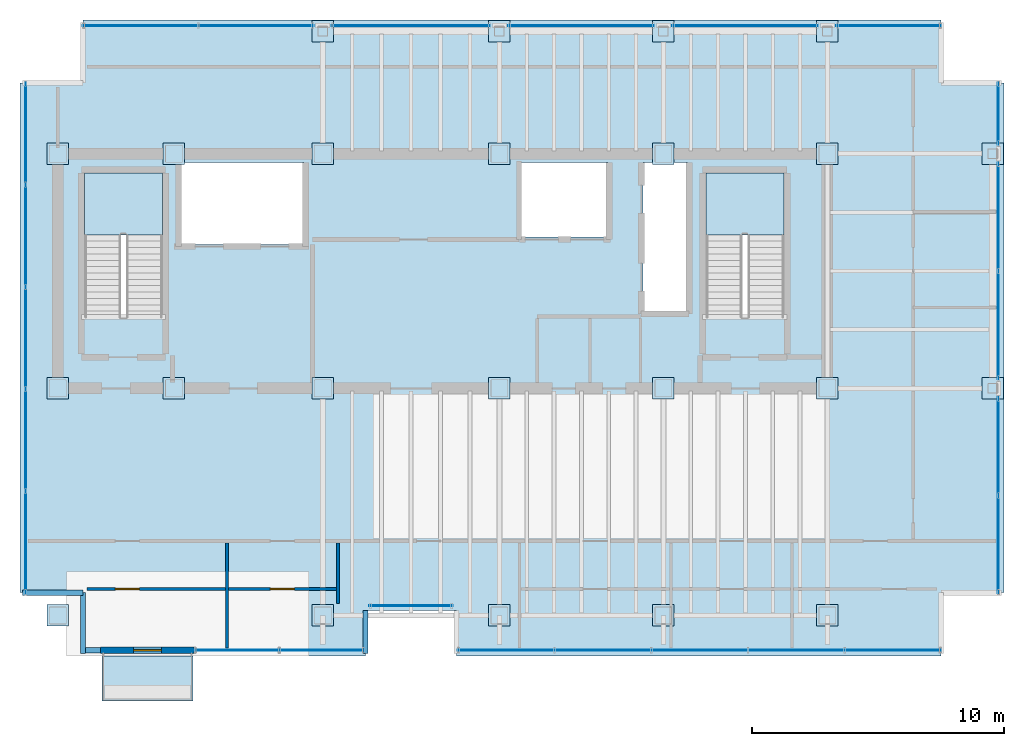
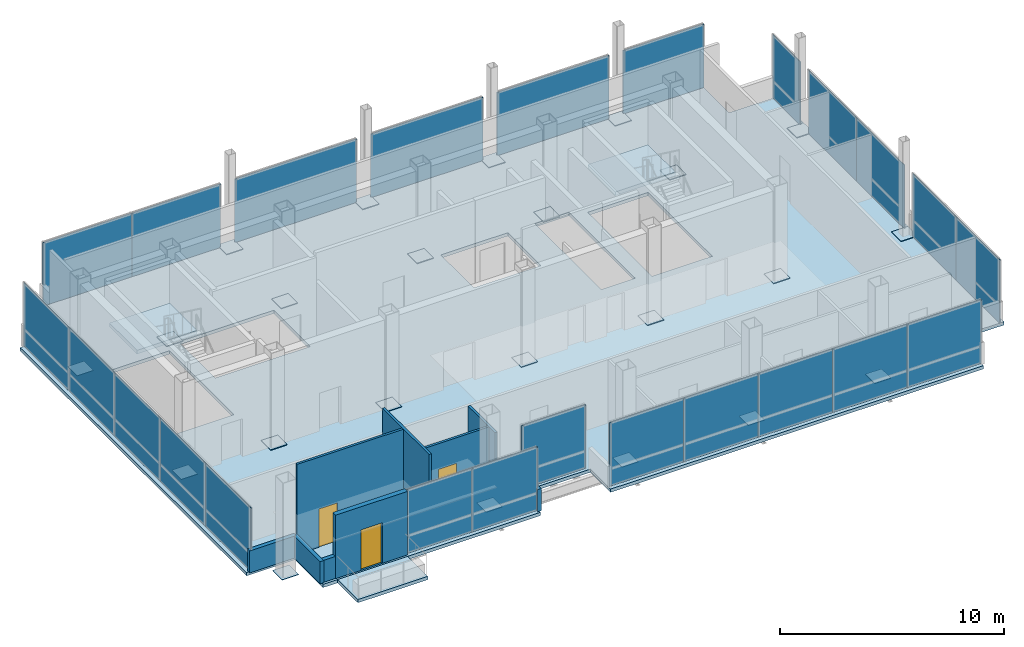
# One storey, part 14 of 17: 47 plates, 9 walls, 4 slabs, 3 doors, 8 openings, 14 elements without a shape of their own.
"""IFC4 building model written with IfcOpenShell, lengths in metres."""

from ifc_helpers import new_model, si_unit, direction, frame, frame_2d, origin, origin_2d, place, context, subcontext, project, spatial, polyline, rectangle, outline, extrude, material, layer, layer_set, type_object, element, fill, aggregate, save


model = new_model("IFC4")

# Units and contexts
model_context = context("Model", 3, precision=1e-05, world=origin(), true_north=direction((0.0, 1.0)))
body_context = subcontext(model_context, "Body", "Model", "MODEL_VIEW")
ifc_project = project(units=[si_unit("LENGTHUNIT", "METRE"), si_unit("AREAUNIT", "SQUARE_METRE"), si_unit("VOLUMEUNIT", "CUBIC_METRE"), si_unit("PLANEANGLEUNIT", "RADIAN"), si_unit("MASSUNIT", "GRAM", prefix="KILO")], contexts=[model_context])

# Site, building, storey
site_placement = place(None, origin())
site = spatial("IfcSite", under=ifc_project, at=site_placement, CompositionType="ELEMENT")
building_placement = place(site_placement, origin())
building = spatial("IfcBuilding", under=site, at=building_placement, Name="Noeulbin Bourse Tower", CompositionType="ELEMENT")
storey_placement = place(building_placement, frame((0.0, 0.0, 300.800048828125)))
storey = spatial("IfcBuildingStorey", under=building, at=storey_placement, Name="L75", CompositionType="ELEMENT", Elevation=300.800048828125)

# Curtain wall, plate
ifc_material_1 = material(Name="High-Selectivity Low-Iron Glazing", Category="glass")
curtain_wall_type = type_object("IfcCurtainWallType", Name="CW-SYS-4", PredefinedType="NOTDEFINED", material=ifc_material_1)
curtain_wall_1_placement = place(storey_placement, origin())
curtain_wall_1 = element("IfcCurtainWall", 1, at=curtain_wall_1_placement, inside=storey, type_object=curtain_wall_type, Name="Unitised Curtain Wall CW-L75-SREC", PredefinedType="NOTDEFINED")
ifc_layer_1 = layer(ifc_material_1, 0.035888671875)
ifc_layer_set_1 = layer_set([ifc_layer_1], Name="High-Selectivity Low-Iron Glazing")
plate_type_1 = type_object("IfcPlateType", Name="CW-SYS-4-PNL", PredefinedType="CURTAIN_PANEL", material=ifc_layer_set_1)
plate_1_placement = place(storey_placement, frame((27.5, 20.3798828125, 0.0), z_axis=(0.0, 0.0, 1.0), x_axis=(1.0, 0.0, 0.0)))
plate_1 = element("IfcPlate", 2, at=plate_1_placement, type_object=plate_type_1, Name="Glazed Curtain Panel CW-L75-SREC-P00", PredefinedType="CURTAIN_PANEL", context=body_context, shape_type="SweptSolid", body=[
    extrude(rectangle(XDim=3.300048828125, YDim=0.035888671875, at=origin_2d()), origin(), (0.0, 0.0, 1.0), 3.4599609375),
])
aggregate(curtain_wall_1, [plate_1])

# Curtain wall, plates
curtain_wall_2_placement = place(storey_placement, origin())
curtain_wall_2 = element("IfcCurtainWall", 3, at=curtain_wall_2_placement, inside=storey, type_object=curtain_wall_type, Name="Unitised Curtain Wall CW-L75-S1", PredefinedType="NOTDEFINED")
plate_2_placement = place(storey_placement, frame((20.58740234375, 18.6201171875, 0.0), z_axis=(0.0, 0.0, 1.0), x_axis=(1.0, 0.0, 0.0)))
plate_2 = element("IfcPlate", 4, at=plate_2_placement, type_object=plate_type_1, Name="Glazed Curtain Panel CW-L75-S1-P00", PredefinedType="CURTAIN_PANEL", context=body_context, shape_type="SweptSolid", body=[
    extrude(rectangle(XDim=3.375, YDim=0.035888671875, at=origin_2d()), origin(), (0.0, 0.0, 1.0), 3.4599609375),
])
plate_3_placement = place(storey_placement, frame((23.96240234375, 18.6201171875, 0.0), z_axis=(0.0, 0.0, 1.0), x_axis=(1.0, 0.0, 0.0)))
plate_3 = element("IfcPlate", 5, at=plate_3_placement, type_object=plate_type_1, Name="Glazed Curtain Panel CW-L75-S1-P01", PredefinedType="CURTAIN_PANEL", context=body_context, shape_type="SweptSolid", body=[
    extrude(rectangle(XDim=3.375, YDim=0.035888671875, at=origin_2d()), origin(), (0.0, 0.0, 1.0), 3.4599609375),
])
aggregate(curtain_wall_2, [plate_2, plate_3])

curtain_wall_3_placement = place(storey_placement, origin())
curtain_wall_3 = element("IfcCurtainWall", 6, at=curtain_wall_3_placement, inside=storey, type_object=curtain_wall_type, Name="Unitised Curtain Wall CW-L75-S2", PredefinedType="NOTDEFINED")
plate_4_placement = place(storey_placement, frame((31.26708984375, 18.6201171875, 0.0), z_axis=(0.0, 0.0, 1.0), x_axis=(1.0, 0.0, 0.0)))
plate_4 = element("IfcPlate", 7, at=plate_4_placement, type_object=plate_type_1, Name="Glazed Curtain Panel CW-L75-S2-P00", PredefinedType="CURTAIN_PANEL", context=body_context, shape_type="SweptSolid", body=[
    extrude(rectangle(XDim=3.833984375, YDim=0.035888671875, at=origin_2d()), origin(), (0.0, 0.0, 1.0), 3.4599609375),
])
plate_5_placement = place(storey_placement, frame((35.10107421875, 18.6201171875, 0.0), z_axis=(0.0, 0.0, 1.0), x_axis=(1.0, 0.0, 0.0)))
plate_5 = element("IfcPlate", 8, at=plate_5_placement, type_object=plate_type_1, Name="Glazed Curtain Panel CW-L75-S2-P01", PredefinedType="CURTAIN_PANEL", context=body_context, shape_type="SweptSolid", body=[
    extrude(rectangle(XDim=3.833984375, YDim=0.035888671875, at=origin_2d()), origin(), (0.0, 0.0, 1.0), 3.4599609375),
])
plate_6_placement = place(storey_placement, frame((38.93505859375, 18.6201171875, 0.0), z_axis=(0.0, 0.0, 1.0), x_axis=(1.0, 0.0, 0.0)))
plate_6 = element("IfcPlate", 9, at=plate_6_placement, type_object=plate_type_1, Name="Glazed Curtain Panel CW-L75-S2-P02", PredefinedType="CURTAIN_PANEL", context=body_context, shape_type="SweptSolid", body=[
    extrude(rectangle(XDim=3.833984375, YDim=0.035888671875, at=origin_2d()), origin(), (0.0, 0.0, 1.0), 3.4599609375),
])
plate_7_placement = place(storey_placement, frame((42.76904296875, 18.6201171875, 0.0), z_axis=(0.0, 0.0, 1.0), x_axis=(1.0, 0.0, 0.0)))
plate_7 = element("IfcPlate", 10, at=plate_7_placement, type_object=plate_type_1, Name="Glazed Curtain Panel CW-L75-S2-P03", PredefinedType="CURTAIN_PANEL", context=body_context, shape_type="SweptSolid", body=[
    extrude(rectangle(XDim=3.833984375, YDim=0.035888671875, at=origin_2d()), origin(), (0.0, 0.0, 1.0), 3.4599609375),
])
plate_8_placement = place(storey_placement, frame((46.60302734375, 18.6201171875, 0.0), z_axis=(0.0, 0.0, 1.0), x_axis=(1.0, 0.0, 0.0)))
plate_8 = element("IfcPlate", 11, at=plate_8_placement, type_object=plate_type_1, Name="Glazed Curtain Panel CW-L75-S2-P04", PredefinedType="CURTAIN_PANEL", context=body_context, shape_type="SweptSolid", body=[
    extrude(rectangle(XDim=3.833984375, YDim=0.035888671875, at=origin_2d()), origin(), (0.0, 0.0, 1.0), 3.4599609375),
])
aggregate(curtain_wall_3, [plate_4, plate_5, plate_6, plate_7, plate_8])

curtain_wall_4_placement = place(storey_placement, origin())
curtain_wall_4 = element("IfcCurtainWall", 12, at=curtain_wall_4_placement, inside=storey, type_object=curtain_wall_type, Name="Unitised Curtain Wall CW-L75-N-S1", PredefinedType="NOTDEFINED")
plate_9_placement = place(storey_placement, frame((16.77001953125, 43.3798828125, 0.0), z_axis=(0.0, 0.0, 1.0), x_axis=(1.0, 0.0, 0.0)))
plate_9 = element("IfcPlate", 13, at=plate_9_placement, type_object=plate_type_1, Name="Glazed Curtain Panel CW-L75-N-S1-P00", PredefinedType="CURTAIN_PANEL", context=body_context, shape_type="SweptSolid", body=[
    extrude(rectangle(XDim=4.580078125, YDim=0.035888671875, at=origin_2d()), origin(), (0.0, 0.0, 1.0), 3.4599609375),
])
plate_10_placement = place(storey_placement, frame((21.35009765625, 43.3798828125, 0.0), z_axis=(0.0, 0.0, 1.0), x_axis=(1.0, 0.0, 0.0)))
plate_10 = element("IfcPlate", 14, at=plate_10_placement, type_object=plate_type_1, Name="Glazed Curtain Panel CW-L75-N-S1-P01", PredefinedType="CURTAIN_PANEL", context=body_context, shape_type="SweptSolid", body=[
    extrude(rectangle(XDim=4.580078125, YDim=0.035888671875, at=origin_2d()), origin(), (0.0, 0.0, 1.0), 3.4599609375),
])
aggregate(curtain_wall_4, [plate_9, plate_10])

# Curtain wall, plate
curtain_wall_5_placement = place(storey_placement, origin())
curtain_wall_5 = element("IfcCurtainWall", 15, at=curtain_wall_5_placement, inside=storey, type_object=curtain_wall_type, Name="Unitised Curtain Wall CW-L75-N-S2", PredefinedType="NOTDEFINED")
plate_11_placement = place(storey_placement, frame((27.5, 43.3798828125, 0.0), z_axis=(0.0, 0.0, 1.0), x_axis=(1.0, 0.0, 0.0)))
plate_11 = element("IfcPlate", 16, at=plate_11_placement, type_object=plate_type_1, Name="Glazed Curtain Panel CW-L75-N-S2-P00", PredefinedType="CURTAIN_PANEL", context=body_context, shape_type="SweptSolid", body=[
    extrude(rectangle(XDim=6.280029296875, YDim=0.035888671875, at=origin_2d()), origin(), (0.0, 0.0, 1.0), 3.4599609375),
])
aggregate(curtain_wall_5, [plate_11])

curtain_wall_6_placement = place(storey_placement, origin())
curtain_wall_6 = element("IfcCurtainWall", 17, at=curtain_wall_6_placement, inside=storey, type_object=curtain_wall_type, Name="Unitised Curtain Wall CW-L75-N-S3", PredefinedType="NOTDEFINED")
plate_12_placement = place(storey_placement, frame((34.25, 43.3798828125, 0.0), z_axis=(0.0, 0.0, 1.0), x_axis=(1.0, 0.0, 0.0)))
plate_12 = element("IfcPlate", 18, at=plate_12_placement, type_object=plate_type_1, Name="Glazed Curtain Panel CW-L75-N-S3-P00", PredefinedType="CURTAIN_PANEL", context=body_context, shape_type="SweptSolid", body=[
    extrude(rectangle(XDim=5.780029296875, YDim=0.035888671875, at=origin_2d()), origin(), (0.0, 0.0, 1.0), 3.4599609375),
])
aggregate(curtain_wall_6, [plate_12])

curtain_wall_7_placement = place(storey_placement, origin())
curtain_wall_7 = element("IfcCurtainWall", 19, at=curtain_wall_7_placement, inside=storey, type_object=curtain_wall_type, Name="Unitised Curtain Wall CW-L75-N-S4", PredefinedType="NOTDEFINED")
plate_13_placement = place(storey_placement, frame((40.75, 43.3798828125, 0.0), z_axis=(0.0, 0.0, 1.0), x_axis=(1.0, 0.0, 0.0)))
plate_13 = element("IfcPlate", 20, at=plate_13_placement, type_object=plate_type_1, Name="Glazed Curtain Panel CW-L75-N-S4-P00", PredefinedType="CURTAIN_PANEL", context=body_context, shape_type="SweptSolid", body=[
    extrude(rectangle(XDim=5.780029296875, YDim=0.035888671875, at=origin_2d()), origin(), (0.0, 0.0, 1.0), 3.4599609375),
])
aggregate(curtain_wall_7, [plate_13])

curtain_wall_8_placement = place(storey_placement, origin())
curtain_wall_8 = element("IfcCurtainWall", 21, at=curtain_wall_8_placement, inside=storey, type_object=curtain_wall_type, Name="Unitised Curtain Wall CW-L75-N-S5", PredefinedType="NOTDEFINED")
plate_14_placement = place(storey_placement, frame((46.43994140625, 43.3798828125, 0.0), z_axis=(0.0, 0.0, 1.0), x_axis=(1.0, 0.0, 0.0)))
plate_14 = element("IfcPlate", 22, at=plate_14_placement, type_object=plate_type_1, Name="Glazed Curtain Panel CW-L75-N-S5-P00", PredefinedType="CURTAIN_PANEL", context=body_context, shape_type="SweptSolid", body=[
    extrude(rectangle(XDim=4.159912109375, YDim=0.035888671875, at=origin_2d()), origin(), (0.0, 0.0, 1.0), 3.4599609375),
])
aggregate(curtain_wall_8, [plate_14])

# Curtain wall, plates
curtain_wall_9_placement = place(storey_placement, origin())
curtain_wall_9 = element("IfcCurtainWall", 23, at=curtain_wall_9_placement, inside=storey, type_object=curtain_wall_type, Name="Unitised Curtain Wall CW-L75-W", PredefinedType="NOTDEFINED")
plate_15_placement = place(storey_placement, frame((12.219970703125, 22.904052734375, 0.0), z_axis=(0.0, 0.0, 1.0), x_axis=(0.0, 1.0, 0.0)))
plate_15 = element("IfcPlate", 24, at=plate_15_placement, type_object=plate_type_1, Name="Glazed Curtain Panel CW-L75-W-P00", PredefinedType="CURTAIN_PANEL", context=body_context, shape_type="SweptSolid", body=[
    extrude(rectangle(XDim=4.048095703125, YDim=0.035888671875, at=origin_2d()), origin(), (0.0, 0.0, 1.0), 3.4599609375),
])
plate_16_placement = place(storey_placement, frame((12.219970703125, 26.951904296875, 0.0), z_axis=(0.0, 0.0, 1.0), x_axis=(0.0, 1.0, 0.0)))
plate_16 = element("IfcPlate", 25, at=plate_16_placement, type_object=plate_type_1, Name="Glazed Curtain Panel CW-L75-W-P01", PredefinedType="CURTAIN_PANEL", context=body_context, shape_type="SweptSolid", body=[
    extrude(rectangle(XDim=4.048095703125, YDim=0.035888671875, at=origin_2d()), origin(), (0.0, 0.0, 1.0), 3.4599609375),
])
plate_17_placement = place(storey_placement, frame((12.219970703125, 31.0, 0.0), z_axis=(0.0, 0.0, 1.0), x_axis=(0.0, 1.0, 0.0)))
plate_17 = element("IfcPlate", 26, at=plate_17_placement, type_object=plate_type_1, Name="Glazed Curtain Panel CW-L75-W-P02", PredefinedType="CURTAIN_PANEL", context=body_context, shape_type="SweptSolid", body=[
    extrude(rectangle(XDim=4.048095703125, YDim=0.035888671875, at=origin_2d()), origin(), (0.0, 0.0, 1.0), 3.4599609375),
])
plate_18_placement = place(storey_placement, frame((12.219970703125, 35.048095703125, 0.0), z_axis=(0.0, 0.0, 1.0), x_axis=(0.0, 1.0, 0.0)))
plate_18 = element("IfcPlate", 27, at=plate_18_placement, type_object=plate_type_1, Name="Glazed Curtain Panel CW-L75-W-P03", PredefinedType="CURTAIN_PANEL", context=body_context, shape_type="SweptSolid", body=[
    extrude(rectangle(XDim=4.048095703125, YDim=0.035888671875, at=origin_2d()), origin(), (0.0, 0.0, 1.0), 3.4599609375),
])
plate_19_placement = place(storey_placement, frame((12.219970703125, 39.095947265625, 0.0), z_axis=(0.0, 0.0, 1.0), x_axis=(0.0, 1.0, 0.0)))
plate_19 = element("IfcPlate", 28, at=plate_19_placement, type_object=plate_type_1, Name="Glazed Curtain Panel CW-L75-W-P04", PredefinedType="CURTAIN_PANEL", context=body_context, shape_type="SweptSolid", body=[
    extrude(rectangle(XDim=4.048095703125, YDim=0.035888671875, at=origin_2d()), origin(), (0.0, 0.0, 1.0), 3.4599609375),
])
aggregate(curtain_wall_9, [plate_15, plate_16, plate_17, plate_18, plate_19])

curtain_wall_10_placement = place(storey_placement, origin())
curtain_wall_10 = element("IfcCurtainWall", 29, at=curtain_wall_10_placement, inside=storey, type_object=curtain_wall_type, Name="Unitised Curtain Wall CW-L75-E-S1", PredefinedType="NOTDEFINED")
plate_20_placement = place(storey_placement, frame((50.780029296875, 22.820068359375, 0.0), z_axis=(0.0, 0.0, 1.0), x_axis=(0.0, 1.0, 0.0)))
plate_20 = element("IfcPlate", 30, at=plate_20_placement, type_object=plate_type_1, Name="Glazed Curtain Panel CW-L75-E-S1-P00", PredefinedType="CURTAIN_PANEL", context=body_context, shape_type="SweptSolid", body=[
    extrude(rectangle(XDim=3.8798828125, YDim=0.035888671875, at=origin_2d()), origin(), (0.0, 0.0, 1.0), 3.4599609375),
])
plate_21_placement = place(storey_placement, frame((50.780029296875, 26.699951171875, 0.0), z_axis=(0.0, 0.0, 1.0), x_axis=(0.0, 1.0, 0.0)))
plate_21 = element("IfcPlate", 31, at=plate_21_placement, type_object=plate_type_1, Name="Glazed Curtain Panel CW-L75-E-S1-P01", PredefinedType="CURTAIN_PANEL", context=body_context, shape_type="SweptSolid", body=[
    extrude(rectangle(XDim=3.8798828125, YDim=0.035888671875, at=origin_2d()), origin(), (0.0, 0.0, 1.0), 3.4599609375),
])
aggregate(curtain_wall_10, [plate_20, plate_21])

curtain_wall_11_placement = place(storey_placement, origin())
curtain_wall_11 = element("IfcCurtainWall", 32, at=curtain_wall_11_placement, inside=storey, type_object=curtain_wall_type, Name="Unitised Curtain Wall CW-L75-E-S2", PredefinedType="NOTDEFINED")
plate_22_placement = place(storey_placement, frame((50.780029296875, 31.5048828125, 0.0), z_axis=(0.0, 0.0, 1.0), x_axis=(0.0, 1.0, 0.0)))
plate_22 = element("IfcPlate", 33, at=plate_22_placement, type_object=plate_type_1, Name="Glazed Curtain Panel CW-L75-E-S2-P00", PredefinedType="CURTAIN_PANEL", context=body_context, shape_type="SweptSolid", body=[
    extrude(rectangle(XDim=4.2900390625, YDim=0.035888671875, at=origin_2d()), origin(), (0.0, 0.0, 1.0), 3.4599609375),
])
plate_23_placement = place(storey_placement, frame((50.780029296875, 35.794921875, 0.0), z_axis=(0.0, 0.0, 1.0), x_axis=(0.0, 1.0, 0.0)))
plate_23 = element("IfcPlate", 34, at=plate_23_placement, type_object=plate_type_1, Name="Glazed Curtain Panel CW-L75-E-S2-P01", PredefinedType="CURTAIN_PANEL", context=body_context, shape_type="SweptSolid", body=[
    extrude(rectangle(XDim=4.2900390625, YDim=0.035888671875, at=origin_2d()), origin(), (0.0, 0.0, 1.0), 3.4599609375),
])
aggregate(curtain_wall_11, [plate_22, plate_23])

# Curtain wall, plate
curtain_wall_12_placement = place(storey_placement, origin())
curtain_wall_12 = element("IfcCurtainWall", 35, at=curtain_wall_12_placement, inside=storey, type_object=curtain_wall_type, Name="Unitised Curtain Wall CW-L75-E-S3", PredefinedType="NOTDEFINED")
plate_24_placement = place(storey_placement, frame((50.780029296875, 39.889892578125, 0.0), z_axis=(0.0, 0.0, 1.0), x_axis=(0.0, 1.0, 0.0)))
plate_24 = element("IfcPlate", 36, at=plate_24_placement, type_object=plate_type_1, Name="Glazed Curtain Panel CW-L75-E-S3-P00", PredefinedType="CURTAIN_PANEL", context=body_context, shape_type="SweptSolid", body=[
    extrude(rectangle(XDim=2.4599609375, YDim=0.035888671875, at=origin_2d()), origin(), (0.0, 0.0, 1.0), 3.4599609375),
])
aggregate(curtain_wall_12, [plate_24])

# Plates
ifc_material_2 = material(Name="Steel S355", Category="steel")
ifc_layer_2 = layer(ifc_material_2, 0.030029296875)
ifc_layer_set_2 = layer_set([ifc_layer_2], Name="Steel S355")
plate_type_2 = type_object("IfcPlateType", Name="PLT-BN1", PredefinedType="USERDEFINED", material=ifc_layer_set_2)
for number, where, z_axis, x_axis, name in (
    (37, (13.5, 29.0, 0.0048828125), (0.0, 0.0, 1.0), (1.0, 0.0, 0.0), "Mega-Column Splice Plate BN1-L75-01"),
    (38, (13.5, 38.300048828125, 0.0048828125), (0.0, 0.0, 1.0), (1.0, 0.0, 0.0), "Mega-Column Splice Plate BN1-L75-02"),
    (39, (18.10009765625, 29.0, 0.0048828125), (0.0, 0.0, 1.0), (1.0, 0.0, 0.0), "Mega-Column Splice Plate BN1-L75-03"),
    (40, (18.10009765625, 38.300048828125, 0.0048828125), (0.0, 0.0, 1.0), (1.0, 0.0, 0.0), "Mega-Column Splice Plate BN1-L75-04"),
    (41, (24.0, 29.0, 0.0048828125), (0.0, 0.0, 1.0), (1.0, 0.0, 0.0), "Mega-Column Splice Plate BN1-L75-05"),
    (42, (24.0, 38.300048828125, 0.0048828125), (0.0, 0.0, 1.0), (1.0, 0.0, 0.0), "Mega-Column Splice Plate BN1-L75-06"),
    (43, (31.0, 29.0, 0.0048828125), (0.0, 0.0, 1.0), (1.0, 0.0, 0.0), "Mega-Column Splice Plate BN1-L75-07"),
    (44, (31.0, 38.300048828125, 0.0048828125), (0.0, 0.0, 1.0), (1.0, 0.0, 0.0), "Mega-Column Splice Plate BN1-L75-08"),
    (45, (37.5, 29.0, 0.0048828125), (0.0, 0.0, 1.0), (1.0, 0.0, 0.0), "Mega-Column Splice Plate BN1-L75-09"),
    (46, (37.5, 38.300048828125, 0.0048828125), (0.0, 0.0, 1.0), (1.0, 0.0, 0.0), "Mega-Column Splice Plate BN1-L75-10"),
    (47, (44.0, 29.0, 0.0048828125), (0.0, 0.0, 1.0), (1.0, 0.0, 0.0), "Mega-Column Splice Plate BN1-L75-11"),
    (48, (44.0, 38.300048828125, 0.0048828125), (0.0, 0.0, 1.0), (1.0, 0.0, 0.0), "Mega-Column Splice Plate BN1-L75-12"),
    (49, (13.5, 20.0, 0.0048828125), (0.0, 0.0, 1.0), (1.0, 0.0, 0.0), "Mega-Column Splice Plate BN1-L75-13"),
    (50, (24.0, 20.0, 0.0048828125), (0.0, 0.0, 1.0), (1.0, 0.0, 0.0), "Mega-Column Splice Plate BN1-L75-14"),
    (51, (31.0, 20.0, 0.0048828125), (0.0, 0.0, 1.0), (1.0, 0.0, 0.0), "Mega-Column Splice Plate BN1-L75-15"),
    (52, (37.5, 20.0, 0.0048828125), (0.0, 0.0, 1.0), (1.0, 0.0, 0.0), "Mega-Column Splice Plate BN1-L75-16"),
    (53, (44.0, 20.0, 0.0048828125), (0.0, 0.0, 1.0), (1.0, 0.0, 0.0), "Mega-Column Splice Plate BN1-L75-17"),
    (54, (24.0, 43.14990234375, 0.0048828125), (0.0, 0.0, 1.0), (1.0, 0.0, 0.0), "Perimeter Column Splice Plate BN1-L75-01"),
    (55, (31.0, 43.14990234375, 0.0048828125), (0.0, 0.0, 1.0), (1.0, 0.0, 0.0), "Perimeter Column Splice Plate BN1-L75-02"),
    (56, (37.5, 43.14990234375, 0.0048828125), (0.0, 0.0, 1.0), (1.0, 0.0, 0.0), "Perimeter Column Splice Plate BN1-L75-03"),
    (57, (44.0, 43.14990234375, 0.0048828125), (0.0, 0.0, 1.0), (1.0, 0.0, 0.0), "Perimeter Column Splice Plate BN1-L75-04"),
    (58, (50.550048828125, 29.0, 0.0048828125), (0.0, 0.0, 1.0), (1.0, 0.0, 0.0), "Perimeter Column Splice Plate BN1-L75-05"),
    (59, (50.550048828125, 38.300048828125, 0.0048828125), (0.0, 0.0, 1.0), (1.0, 0.0, 0.0), "Perimeter Column Splice Plate BN1-L75-06"),
):
    element("IfcPlate", number, at=place(storey_placement, frame(where, z_axis=z_axis, x_axis=x_axis)), inside=storey, type_object=plate_type_2, Name=name, ObjectType="SPLICE PLATE", PredefinedType="USERDEFINED", context=body_context, shape_type="SweptSolid", body=[
        extrude(rectangle(XDim=0.85009765625, YDim=0.85009765625, at=origin_2d()), origin(), (0.0, 0.0, 1.0), 0.030029296875),
    ])

# Stair, slab
ifc_material_3 = material(Name="Concrete C40/50", Category="concrete")
stair_type = type_object("IfcStairType", Name="STR-CORE-1560", PredefinedType="HALF_TURN_STAIR", material=ifc_material_3)
stair_1_placement = place(storey_placement, origin())
stair_1 = element("IfcStair", 60, at=stair_1_placement, inside=storey, type_object=stair_type, Name="L75 ST-1", PredefinedType="HALF_TURN_STAIR")
ifc_layer_3 = layer(ifc_material_3, 0.199951171875)
ifc_layer_set_3 = layer_set([ifc_layer_3], Name="Concrete C40/50")
slab_type_1 = type_object("IfcSlabType", Name="SLB-LND-200", PredefinedType="LANDING", material=ifc_layer_set_3)
slab_1_placement = place(storey_placement, frame((0.0, 0.0, 2.39990234375)))
slab_1 = element("IfcSlab", 61, at=slab_1_placement, type_object=slab_type_1, Name="ST-1 landing 1", PredefinedType="LANDING", context=body_context, shape_type="SweptSolid", body=[
    extrude(outline(polyline([(17.64990234375, 35.0859375), (17.64990234375, 37.5439453125), (14.550048828125, 37.5439453125), (14.550048828125, 35.0859375), (17.64990234375, 35.0859375)])), origin(), (0.0, 0.0, 1.0), 0.199951171875),
])
aggregate(stair_1, [slab_1])

stair_2_placement = place(storey_placement, origin())
stair_2 = element("IfcStair", 62, at=stair_2_placement, inside=storey, type_object=stair_type, Name="L75 ST-2", PredefinedType="HALF_TURN_STAIR")
slab_2_placement = place(storey_placement, frame((0.0, 0.0, 2.39990234375)))
slab_2 = element("IfcSlab", 63, at=slab_2_placement, type_object=slab_type_1, Name="ST-2 landing 1", PredefinedType="LANDING", context=body_context, shape_type="SweptSolid", body=[
    extrude(outline(polyline([(42.280029296875, 35.0859375), (42.280029296875, 37.5439453125), (39.179931640625, 37.5439453125), (39.179931640625, 35.0859375), (42.280029296875, 35.0859375)])), origin(), (0.0, 0.0, 1.0), 0.199951171875),
])
aggregate(stair_2, [slab_2])

# Slab, openings
ifc_layer_4 = layer(ifc_material_3, 0.179931640625)
ifc_layer_set_4 = layer_set([ifc_layer_4], Name="Concrete C40/50")
slab_type_2 = type_object("IfcSlabType", Name="SLB-TYP-180", PredefinedType="FLOOR", material=ifc_layer_set_4)
slab_3_placement = place(storey_placement, frame((0.0, 0.0, -0.179931640625)))
slab_3 = element("IfcSlab", 64, at=slab_3_placement, inside=storey, type_object=slab_type_2, Name="Tower Structural Floor Slab L75", PredefinedType="FLOOR", context=body_context, shape_type="SweptSolid", body=[
    extrude(outline(polyline([(14.5, 18.39990234375), (25.699951171875, 18.39990234375), (25.699951171875, 20.199951171875), (29.300048828125, 20.199951171875), (29.300048828125, 18.39990234375), (48.5, 18.39990234375), (48.5, 20.89990234375), (51.0, 20.89990234375), (51.0, 41.10009765625), (48.5, 41.10009765625), (48.5, 43.60009765625), (14.5, 43.60009765625), (14.5, 41.10009765625), (12.0, 41.10009765625), (12.0, 20.89990234375), (14.5, 20.89990234375), (14.5, 18.39990234375)]), holes=[polyline([(17.64990234375, 31.81005859375), (17.64990234375, 37.5439453125), (14.550048828125, 37.5439453125), (14.550048828125, 31.81005859375), (17.64990234375, 31.81005859375)]), polyline([(42.280029296875, 31.81005859375), (42.280029296875, 37.5439453125), (39.179931640625, 37.5439453125), (39.179931640625, 31.81005859375), (42.280029296875, 31.81005859375)]), polyline([(18.35009765625, 34.699951171875), (23.25, 34.699951171875), (23.25, 37.949951171875), (18.35009765625, 37.949951171875), (18.35009765625, 34.699951171875)]), polyline([(36.699951171875, 32.050048828125), (38.449951171875, 32.050048828125), (38.449951171875, 37.949951171875), (36.699951171875, 37.949951171875), (36.699951171875, 32.050048828125)]), polyline([(31.85009765625, 35.0), (35.300048828125, 35.0), (35.300048828125, 37.949951171875), (31.85009765625, 37.949951171875), (31.85009765625, 35.0)])]), origin(), (0.0, 0.0, 1.0), 0.179931640625),
])
opening_1_placement = place(slab_3_placement, frame((0.0, 0.0, -0.010009765625)))
element("IfcOpeningElement", 65, at=opening_1_placement, cuts=slab_3, Name="Slab Shaft Opening SLB-L75-TWR-1", PredefinedType="OPENING", context=body_context, shape_type="SweptSolid", body=[
    extrude(outline(polyline([(17.64990234375, 31.81005859375), (17.64990234375, 37.5439453125), (14.550048828125, 37.5439453125), (14.550048828125, 31.81005859375), (17.64990234375, 31.81005859375)])), origin(), (0.0, 0.0, 1.0), 0.199951171875),
])
opening_2_placement = place(slab_3_placement, frame((0.0, 0.0, -0.010009765625)))
element("IfcOpeningElement", 66, at=opening_2_placement, cuts=slab_3, Name="Slab Shaft Opening SLB-L75-TWR-2", PredefinedType="OPENING", context=body_context, shape_type="SweptSolid", body=[
    extrude(outline(polyline([(42.280029296875, 31.81005859375), (42.280029296875, 37.5439453125), (39.179931640625, 37.5439453125), (39.179931640625, 31.81005859375), (42.280029296875, 31.81005859375)])), origin(), (0.0, 0.0, 1.0), 0.199951171875),
])
opening_3_placement = place(slab_3_placement, frame((0.0, 0.0, -0.010009765625)))
element("IfcOpeningElement", 67, at=opening_3_placement, cuts=slab_3, Name="Slab Shaft Opening SLB-L75-TWR-3", PredefinedType="OPENING", context=body_context, shape_type="SweptSolid", body=[
    extrude(outline(polyline([(18.35009765625, 34.699951171875), (23.25, 34.699951171875), (23.25, 37.949951171875), (18.35009765625, 37.949951171875), (18.35009765625, 34.699951171875)])), origin(), (0.0, 0.0, 1.0), 0.199951171875),
])
opening_4_placement = place(slab_3_placement, frame((0.0, 0.0, -0.010009765625)))
element("IfcOpeningElement", 68, at=opening_4_placement, cuts=slab_3, Name="Slab Shaft Opening SLB-L75-TWR-4", PredefinedType="OPENING", context=body_context, shape_type="SweptSolid", body=[
    extrude(outline(polyline([(36.699951171875, 32.050048828125), (38.449951171875, 32.050048828125), (38.449951171875, 37.949951171875), (36.699951171875, 37.949951171875), (36.699951171875, 32.050048828125)])), origin(), (0.0, 0.0, 1.0), 0.199951171875),
])
opening_5_placement = place(slab_3_placement, frame((0.0, 0.0, -0.010009765625)))
element("IfcOpeningElement", 69, at=opening_5_placement, cuts=slab_3, Name="Slab Shaft Opening SLB-L75-TWR-5", PredefinedType="OPENING", context=body_context, shape_type="SweptSolid", body=[
    extrude(outline(polyline([(31.85009765625, 35.0), (35.300048828125, 35.0), (35.300048828125, 37.949951171875), (31.85009765625, 37.949951171875), (31.85009765625, 35.0)])), origin(), (0.0, 0.0, 1.0), 0.199951171875),
])

# Slab
slab_4_placement = place(storey_placement, frame((0.0, 0.0, -0.179931640625)))
element("IfcSlab", 70, at=slab_4_placement, inside=storey, type_object=slab_type_2, Name="Cantilevered Tree-Balcony Slab L75", PredefinedType="FLOOR", context=body_context, shape_type="SweptSolid", body=[
    extrude(outline(polyline([(15.25, 16.60009765625), (18.85009765625, 16.60009765625), (18.85009765625, 18.39990234375), (15.25, 18.39990234375), (15.25, 16.60009765625)])), origin(), (0.0, 0.0, 1.0), 0.179931640625),
])

# Wall, opening, door
ifc_material_4 = material(Name="Precast Concrete C40/50", Category="concrete")
ifc_layer_5 = layer(ifc_material_4, 0.25)
ifc_layer_set_5 = layer_set([ifc_layer_5], Name="Precast Concrete C40/50")
wall_type_1 = type_object("IfcWallType", Name="WAL-EXT-250", PredefinedType="STANDARD", material=ifc_layer_set_5)
wall_1_placement = place(storey_placement, frame((15.199951171875, 18.6201171875, 0.0), z_axis=(0.0, 0.0, 1.0), x_axis=(1.0, 0.0, 0.0)))
wall_1 = element("IfcWall", 71, at=wall_1_placement, inside=storey, type_object=wall_type_1, Name="Balcony Threshold Wall L75", PredefinedType="STANDARD", context=body_context, shape_type="SweptSolid", body=[
    extrude(rectangle(XDim=3.699951171875, YDim=0.25, at=frame_2d((1.85009765625, 0.0))), origin(), (0.0, 0.0, 1.0), 3.4599609375),
])
opening_6_placement = place(wall_1_placement, frame((1.300048828125, 0.0, 0.0)))
opening_6 = element("IfcOpeningElement", 72, at=opening_6_placement, cuts=wall_1, Name="Opening BD-11", PredefinedType="OPENING", context=body_context, shape_type="SweptSolid", body=[
    extrude(rectangle(XDim=1.10009765625, YDim=2.199951171875, at=frame_2d((0.550048828125, 1.10009765625))), frame((0.0, 0.135009765625, 0.0), z_axis=(0.0, -1.0, 0.0), x_axis=(1.0, 0.0, 0.0)), (0.0, 0.0, 1.0), 0.27001953125),
])
ifc_material_5 = material(Name="Thermally Broken Aluminium Framed Glass", Category="aluminium")
door_type_1 = type_object("IfcDoorType", Name="DR-BAL-1100", OperationType="SINGLE_SWING_LEFT", PredefinedType="DOOR", material=ifc_material_5)
door_1_placement = place(opening_6_placement, origin())
door_1 = element("IfcDoor", 73, at=door_1_placement, inside=storey, type_object=door_type_1, Name="Tree-Balcony Access Door BD-L75", OperationType="SINGLE_SWING_LEFT", OverallHeight=2.199951171875, OverallWidth=1.10009765625, PredefinedType="DOOR", context=body_context, shape_type="SweptSolid", body=[
    extrude(rectangle(XDim=1.10009765625, YDim=2.199951171875, at=frame_2d((0.550048828125, 1.10009765625))), frame((0.0, 0.02490234375, 0.0), z_axis=(0.0, -1.0, 0.0), x_axis=(1.0, 0.0, 0.0)), (0.0, 0.0, 1.0), 0.050048828125),
])
fill(opening_6, door_1)

# Walls
ifc_layer_6 = layer(ifc_material_3, 0.199951171875)
ifc_layer_set_6 = layer_set([ifc_layer_6], Name="Concrete C40/50")
wall_type_2 = type_object("IfcWallType", Name="WAL-PAR-200", PredefinedType="PARAPET", material=ifc_layer_set_6)
wall_2_placement = place(storey_placement, frame((14.60009765625, 18.6201171875, 0.0), z_axis=(0.0, 0.0, 1.0), x_axis=(1.0, 0.0, 0.0)))
element("IfcWall", 74, at=wall_2_placement, inside=storey, type_object=wall_type_2, Name="Perimeter Pier Spandrel Parapet L75-S7", PredefinedType="PARAPET", context=body_context, shape_type="SweptSolid", body=[
    extrude(rectangle(XDim=0.599853515625, YDim=0.199951171875, at=frame_2d((0.2998046875, 0.0))), origin(), (0.0, 0.0, 1.0), 1.199951171875),
])
for number, where, z_axis, x_axis, name in (
    (75, (12.10009765625, 20.89990234375, 0.0), (0.0, 0.0, 1.0), (1.0, 0.0, 0.0), "Corner Notch Parapet L75-SW1"),
    (76, (14.5, 20.89990234375, 0.0), (0.0, 0.0, 1.0), (0.0, -1.0, 0.0), "Corner Notch Parapet L75-SW2"),
):
    element("IfcWall", number, at=place(storey_placement, frame(where, z_axis=z_axis, x_axis=x_axis)), inside=storey, type_object=wall_type_2, Name=name, PredefinedType="PARAPET", context=body_context, shape_type="SweptSolid", body=[
        extrude(rectangle(XDim=2.39990234375, YDim=0.199951171875, at=frame_2d((1.199951171875, 0.0))), origin(), (0.0, 0.0, 1.0), 1.199951171875),
    ])
wall_3_placement = place(storey_placement, frame((25.699951171875, 18.5, 0.0), z_axis=(0.0, 0.0, 1.0), x_axis=(0.0, 1.0, 0.0)))
element("IfcWall", 77, at=wall_3_placement, inside=storey, type_object=wall_type_2, Name="Sky-Garden Recess Parapet L75-W", PredefinedType="PARAPET", context=body_context, shape_type="SweptSolid", body=[
    extrude(rectangle(XDim=1.699951171875, YDim=0.199951171875, at=frame_2d((0.85009765625, 0.0))), origin(), (0.0, 0.0, 1.0), 1.199951171875),
])

# Wall, opening, door
ifc_material_6 = material(Name="Steel Stud Gypsum Partition", Category="steel")
ifc_layer_7 = layer(ifc_material_6, 0.1201171875)
ifc_layer_set_7 = layer_set([ifc_layer_7], Name="Steel Stud Gypsum Partition")
wall_type_3 = type_object("IfcWallType", Name="WAL-PRT-120", PredefinedType="PARTITIONING", material=ifc_layer_set_7)
wall_4_placement = place(storey_placement, frame((14.659912109375, 21.050048828125, 0.0), z_axis=(0.0, 0.0, 1.0), x_axis=(1.0, 0.0, 0.0)))
wall_4 = element("IfcWall", 78, at=wall_4_placement, inside=storey, type_object=wall_type_3, Name="Interior Partition Wall L75-05", PredefinedType="PARTITIONING", context=body_context, shape_type="SweptSolid", body=[
    extrude(rectangle(XDim=5.5400390625, YDim=0.1201171875, at=frame_2d((2.77001953125, 0.0))), origin(), (0.0, 0.0, 1.0), 4.89990234375),
])
opening_7_placement = place(wall_4_placement, frame((1.1201171875, 0.0, 0.0)))
opening_7 = element("IfcOpeningElement", 79, at=opening_7_placement, cuts=wall_4, Name="Opening ID-09", PredefinedType="OPENING", context=body_context, shape_type="SweptSolid", body=[
    extrude(rectangle(XDim=0.949951171875, YDim=2.080078125, at=frame_2d((0.47509765625, 1.0400390625))), frame((0.0, 0.070068359375, 0.0), z_axis=(0.0, -1.0, 0.0), x_axis=(1.0, 0.0, 0.0)), (0.0, 0.0, 1.0), 0.14013671875),
])
ifc_material_7 = material(Name="Acoustic Solid-Core Timber", Category="wood")
door_type_2 = type_object("IfcDoorType", Name="DR-SINGLE-950", OperationType="SINGLE_SWING_LEFT", PredefinedType="DOOR", material=ifc_material_7)
door_2_placement = place(opening_7_placement, origin())
door_2 = element("IfcDoor", 80, at=door_2_placement, inside=storey, type_object=door_type_2, Name="Interior Door L75-08", OperationType="SINGLE_SWING_LEFT", OverallHeight=2.080078125, OverallWidth=0.949951171875, PredefinedType="DOOR", context=body_context, shape_type="SweptSolid", body=[
    extrude(rectangle(XDim=0.949951171875, YDim=2.080078125, at=frame_2d((0.47509765625, 1.0400390625))), frame((0.0, 0.02490234375, 0.0), z_axis=(0.0, -1.0, 0.0), x_axis=(1.0, 0.0, 0.0)), (0.0, 0.0, 1.0), 0.050048828125),
])
fill(opening_7, door_2)

wall_5_placement = place(storey_placement, frame((20.199951171875, 21.050048828125, 0.0), z_axis=(0.0, 0.0, 1.0), x_axis=(1.0, 0.0, 0.0)))
wall_5 = element("IfcWall", 81, at=wall_5_placement, inside=storey, type_object=wall_type_3, Name="Interior Partition Wall L75-06", PredefinedType="PARTITIONING", context=body_context, shape_type="SweptSolid", body=[
    extrude(rectangle(XDim=4.400146484375, YDim=0.1201171875, at=frame_2d((2.2001953125, 0.0))), origin(), (0.0, 0.0, 1.0), 3.47998046875),
])
opening_8_placement = place(wall_5_placement, frame((1.72509765625, 0.0, 0.0)))
opening_8 = element("IfcOpeningElement", 82, at=opening_8_placement, cuts=wall_5, Name="Opening ID-09", PredefinedType="OPENING", context=body_context, shape_type="SweptSolid", body=[
    extrude(rectangle(XDim=0.949951171875, YDim=2.080078125, at=frame_2d((0.47509765625, 1.0400390625))), frame((0.0, 0.070068359375, 0.0), z_axis=(0.0, -1.0, 0.0), x_axis=(1.0, 0.0, 0.0)), (0.0, 0.0, 1.0), 0.14013671875),
])
door_3_placement = place(opening_8_placement, origin())
door_3 = element("IfcDoor", 83, at=door_3_placement, inside=storey, type_object=door_type_2, Name="Interior Door L75-10", OperationType="SINGLE_SWING_LEFT", OverallHeight=2.080078125, OverallWidth=0.949951171875, PredefinedType="DOOR", context=body_context, shape_type="SweptSolid", body=[
    extrude(rectangle(XDim=0.949951171875, YDim=2.080078125, at=frame_2d((0.47509765625, 1.0400390625))), frame((0.0, 0.02490234375, 0.0), z_axis=(0.0, -1.0, 0.0), x_axis=(1.0, 0.0, 0.0)), (0.0, 0.0, 1.0), 0.050048828125),
])
fill(opening_8, door_3)

# Walls
wall_6_placement = place(storey_placement, frame((20.199951171875, 18.7099609375, 0.0), z_axis=(0.0, 0.0, 1.0), x_axis=(0.0, 1.0, 0.0)))
element("IfcWall", 84, at=wall_6_placement, inside=storey, type_object=wall_type_3, Name="Interior Partition Wall L75-20", PredefinedType="PARTITIONING", context=body_context, shape_type="SweptSolid", body=[
    extrude(rectangle(XDim=4.155029296875, YDim=0.1201171875, at=frame_2d((2.07763671875, 0.0))), origin(), (0.0, 0.0, 1.0), 4.89990234375),
])
wall_7_placement = place(storey_placement, frame((24.60009765625, 20.469970703125, 0.0), z_axis=(0.0, 0.0, 1.0), x_axis=(0.0, 1.0, 0.0)))
element("IfcWall", 85, at=wall_7_placement, inside=storey, type_object=wall_type_3, Name="Interior Partition Wall L75-21", PredefinedType="PARTITIONING", context=body_context, shape_type="SweptSolid", body=[
    extrude(rectangle(XDim=2.39501953125, YDim=0.1201171875, at=frame_2d((1.197509765625, 0.0))), origin(), (0.0, 0.0, 1.0), 3.47998046875),
])

save(model, "model.ifc")
